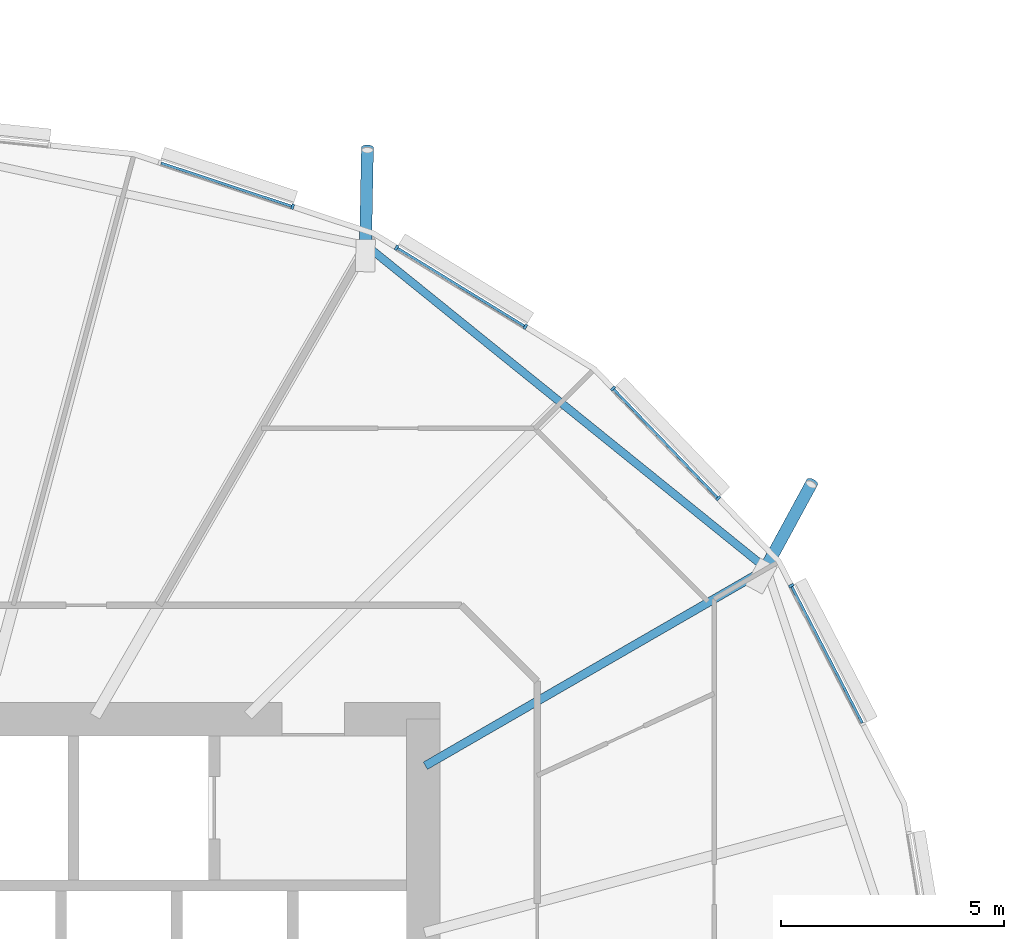
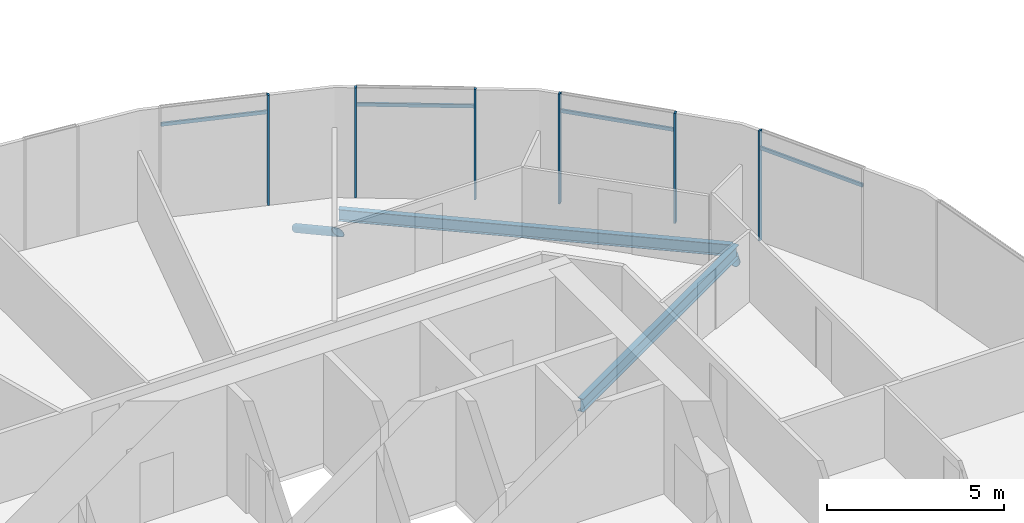
# One storey, part 11 of 43: 12 members, 2 beams, 1 element without a shape of its own.
"""IFC4 building model written with IfcOpenShell, lengths in metres."""

import ifcopenshell
import ifcopenshell.guid

model = None  # the IFC model being written
_history = None  # IfcOwnerHistory: only IFC2X3 demands one
_inside = {}  # id of a spatial element -> (the spatial element, [elements in it])
_under = {}  # id of a project, library or spatial element -> (it, [spatial elements below it])
_declared = {}  # id of a project -> (the project, [libraries it declares])
_typed = {}  # id of a type object -> (the type object, [elements of that type])
_made_of = {}  # id of a material, layer set ... -> (it, [elements and type objects made of it])


def new_model(schema):
    """Start an empty IFC model of exactly this schema.

    Asked for "IFC4X3", IfcOpenShell would pick the latest addendum, in which some entities
    have other attributes; the version numbers below select the first issue.
    IFC2X3 requires an IfcOwnerHistory on every rooted entity: one is made here for all.
    """
    global model, _history
    if schema == "IFC4X3":
        model = ifcopenshell.file(schema_version=(4, 3, 0, 0))
    else:
        model = ifcopenshell.file(schema=schema)
    _inside.clear()
    _under.clear()
    _declared.clear()
    _typed.clear()
    _made_of.clear()
    _history = None
    if model.schema == "IFC2X3":
        org = make("IfcOrganization", Name="unknown")
        user = make(
            "IfcPersonAndOrganization",
            ThePerson=make("IfcPerson", FamilyName="unknown"),
            TheOrganization=org,
        )
        app = make(
            "IfcApplication",
            ApplicationDeveloper=org,
            Version="unknown",
            ApplicationFullName="unknown",
            ApplicationIdentifier="unknown",
        )
        _history = make(
            "IfcOwnerHistory",
            OwningUser=user,
            OwningApplication=app,
            ChangeAction="ADDED",
            CreationDate=0,
        )
    return model


def make(cls, **values):
    """One entity of the class cls with the attributes given. An attribute that is None is left unset."""
    return model.create_entity(
        cls, **{name: value for name, value in values.items() if value is not None}
    )


def rooted(cls, **values):
    """An entity with a GlobalId (a new one), such as an element, a storey or a relation."""
    return make(cls, GlobalId=ifcopenshell.guid.new(), OwnerHistory=_history, **values)


def si_unit(unit_type, name, prefix=None):
    """IfcSIUnit, for example si_unit("LENGTHUNIT", "METRE", prefix="MILLI")."""
    return make("IfcSIUnit", UnitType=unit_type, Prefix=prefix, Name=name)


def assignment(units):
    """IfcUnitAssignment: the units of a project."""
    return None if units is None else make("IfcUnitAssignment", Units=units)


def point(xyz):
    """IfcCartesianPoint."""
    return None if xyz is None else make("IfcCartesianPoint", Coordinates=xyz)


def direction(xyz):
    """IfcDirection."""
    return None if xyz is None else make("IfcDirection", DirectionRatios=xyz)


def frame(location, z_axis=None, x_axis=None):
    """IfcAxis2Placement3D, a coordinate frame: its origin and axes. An axis left out is left unset."""
    return make(
        "IfcAxis2Placement3D",
        Location=point(location),
        Axis=direction(z_axis),
        RefDirection=direction(x_axis),
    )


def frame_2d(location, x_axis=None):
    """IfcAxis2Placement2D, a coordinate frame in the plane: its origin and x axis."""
    return make(
        "IfcAxis2Placement2D", Location=point(location), RefDirection=direction(x_axis)
    )


def origin():
    """The frame at (0, 0, 0) with its axes left unset."""
    return frame((0.0, 0.0, 0.0))


def origin_2d():
    """The frame at (0, 0) in the plane with its x axis left unset."""
    return frame_2d((0.0, 0.0))


def place(relative_to, where):
    """IfcLocalPlacement: puts the frame where relative to a parent placement (None: the world)."""
    return make(
        "IfcLocalPlacement", PlacementRelTo=relative_to, RelativePlacement=where
    )


def context(
    kind, dimensions, precision=None, world=None, true_north=None, identifier=None
):
    """IfcGeometricRepresentationContext, for example the 3D "Model" context."""
    return make(
        "IfcGeometricRepresentationContext",
        ContextIdentifier=identifier,
        ContextType=kind,
        CoordinateSpaceDimension=dimensions,
        Precision=precision,
        WorldCoordinateSystem=world,
        TrueNorth=true_north,
    )


def subcontext(parent, identifier, kind, view, scale=None):
    """IfcGeometricRepresentationSubContext, for example "Body" below "Model"."""
    return make(
        "IfcGeometricRepresentationSubContext",
        ContextIdentifier=identifier,
        ContextType=kind,
        ParentContext=parent,
        TargetScale=scale,
        TargetView=view,
    )


def project(units=None, contexts=None):
    """IfcProject with its units and contexts."""
    return rooted(
        "IfcProject",
        Name="project",
        RepresentationContexts=contexts,
        UnitsInContext=assignment(units),
    )


def spatial(cls, under=None, at=None, **own):
    """A site, building, storey or space (cls), placed at a placement, below another one or the project."""
    s = rooted(cls, ObjectPlacement=at, **own)
    if under is not None:
        _under.setdefault(under.id(), (under, []))[1].append(s)
    return s


def profile(cls, at=None, kind="AREA", **sizes):
    """A parametric profile (cls). Its sizes go by their IFC names, for example OverallWidth=200.0."""
    return make(cls, ProfileType=kind, Position=at, **sizes)


def rectangle(**sizes):
    """IfcRectangleProfileDef."""
    return profile("IfcRectangleProfileDef", **sizes)


def hollow_circle(**sizes):
    """IfcCircleHollowProfileDef."""
    return profile("IfcCircleHollowProfileDef", **sizes)


def i_section(**sizes):
    """IfcIShapeProfileDef."""
    return profile("IfcIShapeProfileDef", **sizes)


def extrude(swept, where, along, depth):
    """IfcExtrudedAreaSolid: the profile swept, set in the frame where, extruded along a direction by depth."""
    return make(
        "IfcExtrudedAreaSolid",
        SweptArea=swept,
        Position=where,
        ExtrudedDirection=direction(along),
        Depth=depth,
    )


def clip(a, b, op="DIFFERENCE"):
    """IfcBooleanClippingResult: the solid a cut by the half space b."""
    return make(
        "IfcBooleanClippingResult", Operator=op, FirstOperand=a, SecondOperand=b
    )


def halfspace(plane, agree):
    """IfcHalfSpaceSolid: all space on one side of the plane z = 0 of the frame plane."""
    return make(
        "IfcHalfSpaceSolid",
        BaseSurface=make("IfcPlane", Position=plane),
        AgreementFlag=agree,
    )


def shape(context_of_items, identifier, shape_type, items):
    """IfcShapeRepresentation: the items that make up one representation, for example the "Body"."""
    return make(
        "IfcShapeRepresentation",
        ContextOfItems=context_of_items,
        RepresentationIdentifier=identifier,
        RepresentationType=shape_type,
        Items=items,
    )


def material(Name=None, Category=None):
    """IfcMaterial."""
    return make("IfcMaterial", Name=Name, Category=Category)


def material_profile(
    of_material, cross_section, Name=None, Category=None, Priority=None
):
    """IfcMaterialProfile: a cross section and its material."""
    return make(
        "IfcMaterialProfile",
        Name=Name,
        Material=of_material,
        Profile=cross_section,
        Priority=Priority,
        Category=Category,
    )


def profile_set(profiles, Name=None, composite=None):
    """IfcMaterialProfileSet."""
    return make(
        "IfcMaterialProfileSet",
        Name=Name,
        MaterialProfiles=profiles,
        CompositeProfile=composite,
    )


def made_of(thing, what):
    """Note that an element or type object is made of a material, layer set ...; save() writes the relation."""
    if what is not None:
        _made_of.setdefault(what.id(), (what, []))[1].append(thing)
    return thing


def type_object(cls, material=None, **own):
    """A type object (cls), such as IfcWallType, which elements share."""
    return made_of(rooted(cls, **own), material)


def element(
    cls,
    number,
    at=None,
    inside=None,
    cuts=None,
    type_object=None,
    material=None,
    context=None,
    identifier="Body",
    shape_type=None,
    held_by="IfcProductDefinitionShape",
    body=None,
    shapes=None,
    **own,
):
    """One element of the class cls, such as IfcWall. Its Tag is "e" and its number.

    at: its placement. inside: the storey or other place that contains it. cuts: it is an
    opening in that element (IfcRelVoidsElement). A single representation is given by context,
    identifier, shape_type and body (its items); several are given by shapes. held_by: the class
    of the entity that holds the representations. save() writes the other relations.
    """
    e = rooted(cls, Tag="e%d" % number, ObjectPlacement=at, **own)
    if body is not None:
        shapes = [shape(context, identifier, shape_type, body)]
    if shapes is not None:
        e.Representation = make(held_by, Representations=shapes)
    if inside is not None:
        _inside.setdefault(inside.id(), (inside, []))[1].append(e)
    if cuts is not None:
        rooted(
            "IfcRelVoidsElement", RelatingBuildingElement=cuts, RelatedOpeningElement=e
        )
    if type_object is not None:
        _typed.setdefault(type_object.id(), (type_object, []))[1].append(e)
    return made_of(e, material)


def aggregate(whole, parts):
    """IfcRelAggregates: a whole, such as a stair, and the parts it consists of."""
    return rooted("IfcRelAggregates", RelatingObject=whole, RelatedObjects=parts)


def save(model, path):
    """Write the relations noted so far, then the file.

    IfcRelAggregates (storeys below a building ...), IfcRelContainedInSpatialStructure (elements
    in a storey), IfcRelDefinesByType, IfcRelAssociatesMaterial and IfcRelDeclares: one each for
    every whole, place, type object, material and project.
    """
    for whole, parts in _under.values():
        aggregate(whole, parts)
    for where, things in _inside.values():
        rooted(
            "IfcRelContainedInSpatialStructure",
            RelatedElements=things,
            RelatingStructure=where,
        )
    for kind, things in _typed.values():
        rooted("IfcRelDefinesByType", RelatedObjects=things, RelatingType=kind)
    for what, things in _made_of.values():
        rooted("IfcRelAssociatesMaterial", RelatedObjects=things, RelatingMaterial=what)
    for by, libraries in _declared.values():
        rooted("IfcRelDeclares", RelatingContext=by, RelatedDefinitions=libraries)
    model.write(path)


model = new_model("IFC4")

# Units and contexts
model_context = context("Model", 3, precision=1e-05, world=origin(), true_north=direction((0.0, 1.0)))
body_context = subcontext(model_context, "Body", "Model", "MODEL_VIEW")
ifc_project = project(units=[si_unit("LENGTHUNIT", "METRE"), si_unit("AREAUNIT", "SQUARE_METRE"), si_unit("VOLUMEUNIT", "CUBIC_METRE"), si_unit("PLANEANGLEUNIT", "RADIAN"), si_unit("MASSUNIT", "GRAM", prefix="KILO")], contexts=[model_context])

# Site, building, storey
site_placement = place(None, origin())
site = spatial("IfcSite", under=ifc_project, at=site_placement, CompositionType="ELEMENT")
building_placement = place(site_placement, origin())
building = spatial("IfcBuilding", under=site, at=building_placement, Name="Rimbun Link Towers", CompositionType="ELEMENT")
storey_placement = place(building_placement, frame((0.0, 0.0, 81.60009765625)))
storey = spatial("IfcBuildingStorey", under=building, at=storey_placement, Name="L19", CompositionType="ELEMENT", Elevation=81.60009765625)

# Curtain wall, members
ifc_material_1 = material(Name="Aluminium 6063-T6 and low-iron glass", Category="aluminium")
curtain_wall_type = type_object("IfcCurtainWallType", Name="CW1-Z2 unitised vision wall (zone 2)", PredefinedType="NOTDEFINED", material=ifc_material_1)
curtain_wall_placement = place(storey_placement, origin())
curtain_wall = element("IfcCurtainWall", 1, at=curtain_wall_placement, inside=storey, type_object=curtain_wall_type, Name="CW1 L19 T1", PredefinedType="NOTDEFINED")
ifc_material_2 = material(Name="Aluminium 6063-T6", Category="aluminium")
ifc_material_profile_1 = material_profile(ifc_material_2, rectangle(XDim=0.1201171875, YDim=0.06005859375, at=origin_2d()), Name="MULLION 60X120")
ifc_profile_set_1 = profile_set([ifc_material_profile_1], Name="Aluminium 6063-T6")
member_type_1 = type_object("IfcMemberType", Name="CW1 mullion 60X120", PredefinedType="MULLION", material=ifc_profile_set_1)
member_1_placement = place(storey_placement, frame((-11.514404296875, 10.98779296875, 0.0), z_axis=(0.0, 0.0, 1.0), x_axis=(0.888154791602, 0.459544411514, 0.0)))
member_1 = element("IfcMember", 2, at=member_1_placement, type_object=member_type_1, Name="CW1 mullion", PredefinedType="MULLION", context=body_context, shape_type="SweptSolid", body=[
    extrude(rectangle(XDim=0.1201171875, YDim=0.06005859375, at=origin_2d()), origin(), (0.0, 0.0, 1.0), 3.7998046875),
])
member_2_placement = place(storey_placement, frame((-15.5029296875, 15.39697265625, 0.0), z_axis=(0.0, 0.0, 1.0), x_axis=(0.721839179549, 0.692060834658, 0.0)))
member_2 = element("IfcMember", 3, at=member_2_placement, type_object=member_type_1, Name="CW1 mullion", PredefinedType="MULLION", context=body_context, shape_type="SweptSolid", body=[
    extrude(rectangle(XDim=0.1201171875, YDim=0.06005859375, at=origin_2d()), origin(), (0.0, 0.0, 1.0), 3.7998046875),
])
member_3_placement = place(storey_placement, frame((-13.1494140625, 12.942138671875, 0.0), z_axis=(0.0, 0.0, 1.0), x_axis=(0.721839179549, 0.692060834658, 0.0)))
member_3 = element("IfcMember", 4, at=member_3_placement, type_object=member_type_1, Name="CW1 mullion", PredefinedType="MULLION", context=body_context, shape_type="SweptSolid", body=[
    extrude(rectangle(XDim=0.1201171875, YDim=0.06005859375, at=origin_2d()), origin(), (0.0, 0.0, 1.0), 3.7998046875),
])
member_4_placement = place(storey_placement, frame((-20.345458984375, 18.550537109375, 0.0), z_axis=(0.0, 0.0, 1.0), x_axis=(0.523237248968, 0.852187057689, 0.0)))
member_4 = element("IfcMember", 5, at=member_4_placement, type_object=member_type_1, Name="CW1 mullion", PredefinedType="MULLION", context=body_context, shape_type="SweptSolid", body=[
    extrude(rectangle(XDim=0.1201171875, YDim=0.06005859375, at=origin_2d()), origin(), (0.0, 0.0, 1.0), 3.7998046875),
])
member_5_placement = place(storey_placement, frame((-17.464111328125, 16.781494140625, 0.0), z_axis=(0.0, 0.0, 1.0), x_axis=(0.523237248968, 0.852187057689, 0.0)))
member_5 = element("IfcMember", 6, at=member_5_placement, type_object=member_type_1, Name="CW1 mullion", PredefinedType="MULLION", context=body_context, shape_type="SweptSolid", body=[
    extrude(rectangle(XDim=0.1201171875, YDim=0.06005859375, at=origin_2d()), origin(), (0.0, 0.0, 1.0), 3.7998046875),
])
member_6_placement = place(storey_placement, frame((-22.6728515625, 19.468017578125, 0.0), z_axis=(0.0, 0.0, 1.0), x_axis=(0.314576015911, 0.949232284646, 0.0)))
member_6 = element("IfcMember", 7, at=member_6_placement, type_object=member_type_1, Name="CW1 mullion", PredefinedType="MULLION", context=body_context, shape_type="SweptSolid", body=[
    extrude(rectangle(XDim=0.1201171875, YDim=0.06005859375, at=origin_2d()), origin(), (0.0, 0.0, 1.0), 3.7998046875),
])
ifc_material_3 = material(Name="Aluminium 6063-T6", Category="aluminium")
ifc_material_profile_2 = material_profile(ifc_material_3, rectangle(XDim=0.06005859375, YDim=0.1201171875, at=origin_2d()), Name="TRANSOM 60X120")
ifc_profile_set_2 = profile_set([ifc_material_profile_2], Name="Aluminium 6063-T6")
member_type_2 = type_object("IfcMemberType", Name="CW1 transom 60X120", PredefinedType="USERDEFINED", material=ifc_profile_set_2)
member_7_placement = place(storey_placement, frame((-11.502197265625, 10.960205078125, 3.199951171875), z_axis=(0.459554574482, -0.888149533059, 0.0), x_axis=(0.888149533059, 0.459554574482, 0.0)))
member_7 = element("IfcMember", 8, at=member_7_placement, type_object=member_type_2, Name="CW1 transom", ObjectType="TRANSOM", PredefinedType="USERDEFINED", context=body_context, shape_type="SweptSolid", body=[
    extrude(rectangle(XDim=0.06005859375, YDim=0.1201171875, at=origin_2d()), origin(), (0.0, 0.0, 1.0), 3.430419921875),
])
member_8_placement = place(storey_placement, frame((-15.483642578125, 15.373779296875, 3.199951171875), z_axis=(0.692078357172, -0.721822379491, 0.0), x_axis=(0.721822379491, 0.692078357172, 0.0)))
member_8 = element("IfcMember", 9, at=member_8_placement, type_object=member_type_2, Name="CW1 transom", ObjectType="TRANSOM", PredefinedType="USERDEFINED", context=body_context, shape_type="SweptSolid", body=[
    extrude(rectangle(XDim=0.06005859375, YDim=0.1201171875, at=origin_2d()), origin(), (0.0, 0.0, 1.0), 3.340576171875),
])
member_9_placement = place(storey_placement, frame((-20.32080078125, 18.533203125, 3.199951171875), z_axis=(0.852167775137, -0.523268652814, 0.0), x_axis=(0.523268652814, 0.852167775137, 0.0)))
member_9 = element("IfcMember", 10, at=member_9_placement, type_object=member_type_2, Name="CW1 transom", ObjectType="TRANSOM", PredefinedType="USERDEFINED", context=body_context, shape_type="SweptSolid", body=[
    extrude(rectangle(XDim=0.06005859375, YDim=0.1201171875, at=origin_2d()), origin(), (0.0, 0.0, 1.0), 3.321044921875),
])
member_10_placement = place(storey_placement, frame((-25.617919921875, 20.44189453125, 3.199951171875), z_axis=(0.949238148414, -0.314558321452, 0.0), x_axis=(0.314558321452, 0.949238148414, 0.0)))
member_10 = element("IfcMember", 11, at=member_10_placement, type_object=member_type_2, Name="CW1 transom", ObjectType="TRANSOM", PredefinedType="USERDEFINED", context=body_context, shape_type="SweptSolid", body=[
    extrude(rectangle(XDim=0.06005859375, YDim=0.1201171875, at=origin_2d()), origin(), (0.0, 0.0, 1.0), 3.072021484375),
])
aggregate(curtain_wall, [member_1, member_2, member_3, member_4, member_5, member_6, member_7, member_8, member_9, member_10])

# Members
ifc_material_4 = material(Name="Steel S355J2H", Category="steel")
ifc_material_profile_3 = material_profile(ifc_material_4, hollow_circle(Radius=0.136474609375, WallThickness=0.012451171875, at=origin_2d()), Name="CHS 273x12.5")
ifc_profile_set_3 = profile_set([ifc_material_profile_3], Name="Steel S355J2H")
member_type_3 = type_object("IfcMemberType", Name="Floor edge link CHS 273x12.5", PredefinedType="BRACE", material=ifc_profile_set_3)
member_11_placement = place(storey_placement, frame((-12.109619140625, 11.33935546875, -0.72998046875), z_axis=(0.408420751256, 0.752191280358, -0.517108081253), x_axis=(-0.878810151557, 0.477171580797, 0.0)))
element("IfcMember", 12, at=member_11_placement, inside=storey, type_object=member_type_3, Name="Floor edge link T1 L19 02", PredefinedType="BRACE", context=body_context, shape_type="Clipping", body=[
    clip(extrude(hollow_circle(Radius=0.136474609375, WallThickness=0.012451171875, at=origin_2d()), frame((0.0, 0.0, -0.47119140625)), (0.0, 0.0, 1.0), 3.076904296875), halfspace(frame((0.0, 0.0, -0.221435546875), z_axis=(0.0, 0.855920108598, -0.517108081253)), False)),
])
member_12_placement = place(storey_placement, frame((-21.040771484375, 18.549072265625, -0.96240234375), z_axis=(0.016806815258, 0.873763406869, -0.486060736717), x_axis=(-0.99981505923, 0.019231415347, 0.0)))
element("IfcMember", 13, at=member_12_placement, inside=storey, type_object=member_type_3, Name="Floor edge link T1 L19 04", PredefinedType="BRACE", context=body_context, shape_type="Clipping", body=[
    clip(extrude(hollow_circle(Radius=0.136474609375, WallThickness=0.012451171875, at=origin_2d()), frame((0.0, 0.0, -0.511474609375)), (0.0, 0.0, 1.0), 3.068115234375), halfspace(frame((0.0, 0.0, -0.240234375), z_axis=(0.0, 0.873925031237, -0.486060736717)), False)),
])

# Beams
ifc_material_5 = material(Name="Steel S355J2", Category="steel")
ifc_material_profile_4 = material_profile(ifc_material_5, i_section(OverallWidth=0.177978515625, OverallDepth=0.406494140625, WebThickness=0.0078125, FlangeThickness=0.0126953125, at=origin_2d()), Name="UB 406x178x60")
ifc_profile_set_4 = profile_set([ifc_material_profile_4], Name="Steel S355J2")
beam_type_1 = type_object("IfcBeamType", Name="UB 406x178x60", PredefinedType="BEAM", material=ifc_profile_set_4)
beam_1_placement = place(storey_placement, frame((-12.146240234375, 11.428955078125, -0.36328125), z_axis=(-0.777961133356, 0.628312402383, 0.0), x_axis=(-0.628312402383, -0.777961133356, 0.0)))
element("IfcBeam", 14, at=beam_1_placement, inside=storey, type_object=beam_type_1, Name="Edge beam T1 L19 02-04", PredefinedType="BEAM", context=body_context, shape_type="SweptSolid", body=[
    extrude(i_section(OverallWidth=0.177978515625, OverallDepth=0.406494140625, WebThickness=0.0078125, FlangeThickness=0.0126953125, at=origin_2d()), origin(), (0.0, 0.0, 1.0), 11.271484375),
])
ifc_material_6 = material(Name="Steel S355J2", Category="steel")
ifc_material_profile_5 = material_profile(ifc_material_6, i_section(OverallWidth=0.18994140625, OverallDepth=0.453369140625, WebThickness=0.008544921875, FlangeThickness=0.0126953125, at=origin_2d()), Name="UB 457x191x67")
ifc_profile_set_5 = profile_set([ifc_material_profile_5], Name="Steel S355J2")
beam_type_2 = type_object("IfcBeamType", Name="UB 457x191x67", PredefinedType="BEAM", material=ifc_profile_set_5)
beam_2_placement = place(storey_placement, frame((-19.70166015625, 6.9560546875, -0.38671875), z_axis=(0.866014040261, 0.500019681684, 0.0), x_axis=(-0.500019681684, 0.866014040261, 0.0)))
element("IfcBeam", 15, at=beam_2_placement, inside=storey, type_object=beam_type_2, Name="Radial beam T1 L19 02", PredefinedType="BEAM", context=body_context, shape_type="SweptSolid", body=[
    extrude(i_section(OverallWidth=0.18994140625, OverallDepth=0.453369140625, WebThickness=0.008544921875, FlangeThickness=0.0126953125, at=origin_2d()), origin(), (0.0, 0.0, 1.0), 8.816650390625),
])

save(model, "model.ifc")
